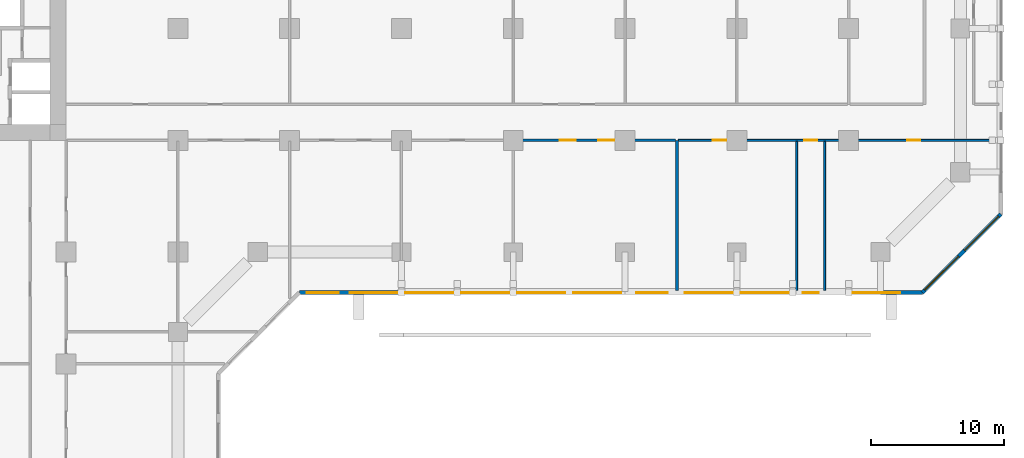
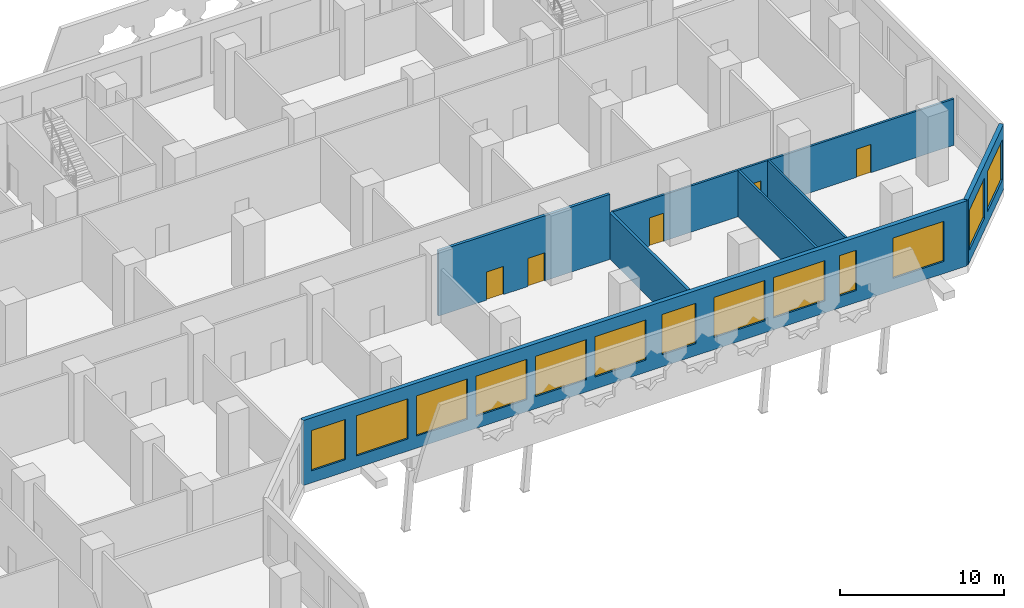
# One storey, part 7 of 21: 13 windows, 7 walls, 5 doors, 18 openings.
"""IFC4 building model written with IfcOpenShell, lengths in metres."""

from ifc_helpers import new_model, si_unit, direction, frame, frame_2d, origin, place, context, subcontext, project, spatial, rectangle, extrude, material, layer, layer_set, type_object, element, fill, save


model = new_model("IFC4")

# Units and contexts
model_context = context("Model", 3, precision=1e-05, world=origin(), true_north=direction((0.0, 1.0)))
body_context = subcontext(model_context, "Body", "Model", "MODEL_VIEW")
ifc_project = project(units=[si_unit("LENGTHUNIT", "METRE"), si_unit("AREAUNIT", "SQUARE_METRE"), si_unit("VOLUMEUNIT", "CUBIC_METRE"), si_unit("PLANEANGLEUNIT", "RADIAN"), si_unit("MASSUNIT", "GRAM", prefix="KILO")], contexts=[model_context])

# Site, building, storey
site_placement = place(None, origin())
site = spatial("IfcSite", under=ifc_project, at=site_placement, CompositionType="ELEMENT")
building_placement = place(site_placement, origin())
building = spatial("IfcBuilding", under=site, at=building_placement, Name="Kawkab Arch Medical Tower", CompositionType="ELEMENT")
storey_placement = place(building_placement, frame((0.0, 0.0, 23.800048828125)))
storey = spatial("IfcBuildingStorey", under=building, at=storey_placement, Name="L05", CompositionType="ELEMENT", Elevation=23.800048828125)

# Wall, openings, doors
ifc_material_1 = material(Name="Gypsum board partition on steel studs, mineral wool", Category="steel")
ifc_layer_1 = layer(ifc_material_1, 0.14990234375)
ifc_layer_set_1 = layer_set([ifc_layer_1], Name="Gypsum board partition on steel studs, mineral wool")
wall_type_1 = type_object("IfcWallType", Name="Partition 150", PredefinedType="PARTITIONING", material=ifc_layer_set_1)
wall_1_placement = place(storey_placement, frame((71.199951171875, -25.199951171875, 0.0), z_axis=(0.0, 0.0, 1.0), x_axis=(1.0, 0.0, 0.0)))
wall_1 = element("IfcWall", 1, at=wall_1_placement, inside=storey, type_object=wall_type_1, Name="Partition 150 w022", PredefinedType="PARTITIONING", context=body_context, shape_type="SweptSolid", body=[
    extrude(rectangle(XDim=24.080078125, YDim=0.14990234375, at=frame_2d((12.0400390625, 0.0))), origin(), (0.0, 0.0, 1.0), 3.449951171875),
])
opening_1_placement = place(wall_1_placement, frame((2.60009765625, 0.0, 0.0)))
opening_1 = element("IfcOpeningElement", 2, at=opening_1_placement, cuts=wall_1, Name="Opening P05-030", PredefinedType="OPENING", context=body_context, shape_type="SweptSolid", body=[
    extrude(rectangle(XDim=1.0, YDim=2.10009765625, at=frame_2d((0.5, 1.050048828125))), frame((0.0, 0.0849609375, 0.0), z_axis=(0.0, -1.0, 0.0), x_axis=(1.0, 0.0, 0.0)), (0.0, 0.0, 1.0), 0.169921875),
])
opening_2_placement = place(wall_1_placement, frame((17.199951171875, 0.0, 0.0)))
opening_2 = element("IfcOpeningElement", 3, at=opening_2_placement, cuts=wall_1, Name="Opening P05-031", PredefinedType="OPENING", context=body_context, shape_type="SweptSolid", body=[
    extrude(rectangle(XDim=1.0, YDim=2.10009765625, at=frame_2d((0.5, 1.050048828125))), frame((0.0, 0.0849609375, 0.0), z_axis=(0.0, -1.0, 0.0), x_axis=(1.0, 0.0, 0.0)), (0.0, 0.0, 1.0), 0.169921875),
])
opening_3_placement = place(wall_1_placement, frame((9.449951171875, 0.0, 0.0)))
opening_3 = element("IfcOpeningElement", 4, at=opening_3_placement, cuts=wall_1, Name="Opening P05-003", PredefinedType="OPENING", context=body_context, shape_type="SweptSolid", body=[
    extrude(rectangle(XDim=1.0, YDim=2.10009765625, at=frame_2d((0.5, 1.050048828125))), frame((0.0, 0.0849609375, 0.0), z_axis=(0.0, -1.0, 0.0), x_axis=(1.0, 0.0, 0.0)), (0.0, 0.0, 1.0), 0.169921875),
])
ifc_material_2 = material(Name="Timber door leaf", Category="wood")
door_type_1 = type_object("IfcDoorType", Name="Single door 1000x2100", OperationType="NOTDEFINED", PredefinedType="DOOR", material=ifc_material_2)
door_1_placement = place(opening_3_placement, origin())
door_1 = element("IfcDoor", 5, at=door_1_placement, inside=storey, type_object=door_type_1, Name="Door P05-003", OperationType="SINGLE_SWING_RIGHT", OverallHeight=2.10009765625, OverallWidth=1.0, PredefinedType="DOOR", context=body_context, shape_type="SweptSolid", body=[
    extrude(rectangle(XDim=1.0, YDim=2.10009765625, at=frame_2d((0.5, 1.050048828125))), frame((0.0, 0.02490234375, 0.0), z_axis=(0.0, -1.0, 0.0), x_axis=(1.0, 0.0, 0.0)), (0.0, 0.0, 1.0), 0.050048828125),
])
fill(opening_3, door_1)
ifc_material_3 = material(Name="Hollow metal door leaf")
door_type_2 = type_object("IfcDoorType", Name="Single door 1000x2100 FD30S", OperationType="NOTDEFINED", PredefinedType="DOOR", material=ifc_material_3)
door_2_placement = place(opening_1_placement, origin())
door_2 = element("IfcDoor", 6, at=door_2_placement, inside=storey, type_object=door_type_2, Name="Door P05-030", OperationType="SINGLE_SWING_RIGHT", OverallHeight=2.10009765625, OverallWidth=1.0, PredefinedType="DOOR", context=body_context, shape_type="SweptSolid", body=[
    extrude(rectangle(XDim=1.0, YDim=2.10009765625, at=frame_2d((0.5, 1.050048828125))), frame((0.0, 0.02490234375, 0.0), z_axis=(0.0, -1.0, 0.0), x_axis=(1.0, 0.0, 0.0)), (0.0, 0.0, 1.0), 0.050048828125),
])
fill(opening_1, door_2)
door_3_placement = place(opening_2_placement, origin())
door_3 = element("IfcDoor", 7, at=door_3_placement, inside=storey, type_object=door_type_2, Name="Door P05-031", OperationType="SINGLE_SWING_LEFT", OverallHeight=2.10009765625, OverallWidth=1.0, PredefinedType="DOOR", context=body_context, shape_type="SweptSolid", body=[
    extrude(rectangle(XDim=1.0, YDim=2.10009765625, at=frame_2d((0.5, 1.050048828125))), frame((0.0, 0.02490234375, 0.0), z_axis=(0.0, -1.0, 0.0), x_axis=(1.0, 0.0, 0.0)), (0.0, 0.0, 1.0), 0.050048828125),
])
fill(opening_2, door_3)

# Walls
for number, where, z_axis, x_axis, name in (
    (8, (80.10009765625, -36.47998046875, 0.0), (0.0, 0.0, 1.0), (0.0, 1.0, 0.0), "Partition 150 w066"),
    (9, (82.199951171875, -36.47998046875, 0.0), (0.0, 0.0, 1.0), (0.0, 1.0, 0.0), "Partition 150 w067"),
):
    element("IfcWall", number, at=place(storey_placement, frame(where, z_axis=z_axis, x_axis=x_axis)), inside=storey, type_object=wall_type_1, Name=name, PredefinedType="PARTITIONING", context=body_context, shape_type="SweptSolid", body=[
        extrude(rectangle(XDim=11.205078125, YDim=0.14990234375, at=frame_2d((5.6025390625, 0.0))), origin(), (0.0, 0.0, 1.0), 3.449951171875),
    ])

# Wall, openings, windows
ifc_material_4 = material(Name="Bronze clad insulated wall panel")
ifc_layer_2 = layer(ifc_material_4, 0.300048828125)
ifc_layer_set_2 = layer_set([ifc_layer_2], Name="Bronze clad insulated wall panel")
wall_type_2 = type_object("IfcWallType", Name="Podium external wall 300", PredefinedType="SOLIDWALL", material=ifc_layer_set_2)
wall_2_placement = place(storey_placement, frame((42.73779296875, -36.64990234375, 0.0), z_axis=(0.0, 0.0, 1.0), x_axis=(1.0, 0.0, 0.0)))
wall_2 = element("IfcWall", 10, at=wall_2_placement, inside=storey, type_object=wall_type_2, Name="Podium external wall L05 R08", PredefinedType="SOLIDWALL", context=body_context, shape_type="SweptSolid", body=[
    extrude(rectangle(XDim=46.800048828125, YDim=0.300048828125, at=frame_2d((23.39990234375, 0.0))), origin(), (0.0, 0.0, 1.0), 4.849853515625),
])
opening_4_placement = place(wall_2_placement, frame((0.56201171875, 0.0, 0.89990234375)))
opening_4 = element("IfcOpeningElement", 11, at=opening_4_placement, cuts=wall_2, Name="Opening PBW240-30-S9", PredefinedType="OPENING", context=body_context, shape_type="SweptSolid", body=[
    extrude(rectangle(XDim=2.39990234375, YDim=3.0, at=frame_2d((1.199951171875, 1.5))), frame((0.0, 0.159912109375, 0.0), z_axis=(0.0, -1.0, 0.0), x_axis=(1.0, 0.0, 0.0)), (0.0, 0.0, 1.0), 0.320068359375),
])
opening_5_placement = place(wall_2_placement, frame((3.76220703125, 0.0, 0.89990234375)))
opening_5 = element("IfcOpeningElement", 12, at=opening_5_placement, cuts=wall_2, Name="Opening PBW360-30-S9", PredefinedType="OPENING", context=body_context, shape_type="SweptSolid", body=[
    extrude(rectangle(XDim=3.60009765625, YDim=3.0, at=frame_2d((1.800048828125, 1.5))), frame((0.0, 0.159912109375, 0.0), z_axis=(0.0, -1.0, 0.0), x_axis=(1.0, 0.0, 0.0)), (0.0, 0.0, 1.0), 0.320068359375),
])
opening_6_placement = place(wall_2_placement, frame((7.962158203125, 0.0, 0.89990234375)))
opening_6 = element("IfcOpeningElement", 13, at=opening_6_placement, cuts=wall_2, Name="Opening PBW360-30-S9", PredefinedType="OPENING", context=body_context, shape_type="SweptSolid", body=[
    extrude(rectangle(XDim=3.60009765625, YDim=3.0, at=frame_2d((1.800048828125, 1.5))), frame((0.0, 0.159912109375, 0.0), z_axis=(0.0, -1.0, 0.0), x_axis=(1.0, 0.0, 0.0)), (0.0, 0.0, 1.0), 0.320068359375),
])
opening_7_placement = place(wall_2_placement, frame((12.162109375, 0.0, 0.89990234375)))
opening_7 = element("IfcOpeningElement", 14, at=opening_7_placement, cuts=wall_2, Name="Opening PBW360-30-S9", PredefinedType="OPENING", context=body_context, shape_type="SweptSolid", body=[
    extrude(rectangle(XDim=3.60009765625, YDim=3.0, at=frame_2d((1.800048828125, 1.5))), frame((0.0, 0.159912109375, 0.0), z_axis=(0.0, -1.0, 0.0), x_axis=(1.0, 0.0, 0.0)), (0.0, 0.0, 1.0), 0.320068359375),
])
opening_8_placement = place(wall_2_placement, frame((16.362060546875, 0.0, 0.89990234375)))
opening_8 = element("IfcOpeningElement", 15, at=opening_8_placement, cuts=wall_2, Name="Opening PBW360-30-S9", PredefinedType="OPENING", context=body_context, shape_type="SweptSolid", body=[
    extrude(rectangle(XDim=3.60009765625, YDim=3.0, at=frame_2d((1.800048828125, 1.5))), frame((0.0, 0.159912109375, 0.0), z_axis=(0.0, -1.0, 0.0), x_axis=(1.0, 0.0, 0.0)), (0.0, 0.0, 1.0), 0.320068359375),
])
opening_9_placement = place(wall_2_placement, frame((20.56201171875, 0.0, 0.89990234375)))
opening_9 = element("IfcOpeningElement", 16, at=opening_9_placement, cuts=wall_2, Name="Opening PBW360-30-S9", PredefinedType="OPENING", context=body_context, shape_type="SweptSolid", body=[
    extrude(rectangle(XDim=3.60009765625, YDim=3.0, at=frame_2d((1.800048828125, 1.5))), frame((0.0, 0.159912109375, 0.0), z_axis=(0.0, -1.0, 0.0), x_axis=(1.0, 0.0, 0.0)), (0.0, 0.0, 1.0), 0.320068359375),
])
opening_10_placement = place(wall_2_placement, frame((25.287109375, 0.0, 0.89990234375)))
opening_10 = element("IfcOpeningElement", 17, at=opening_10_placement, cuts=wall_2, Name="Opening PBW240-30-S9", PredefinedType="OPENING", context=body_context, shape_type="SweptSolid", body=[
    extrude(rectangle(XDim=2.39990234375, YDim=3.0, at=frame_2d((1.199951171875, 1.5))), frame((0.0, 0.159912109375, 0.0), z_axis=(0.0, -1.0, 0.0), x_axis=(1.0, 0.0, 0.0)), (0.0, 0.0, 1.0), 0.320068359375),
])
opening_11_placement = place(wall_2_placement, frame((28.962158203125, 0.0, 0.89990234375)))
opening_11 = element("IfcOpeningElement", 18, at=opening_11_placement, cuts=wall_2, Name="Opening PBW360-30-S9", PredefinedType="OPENING", context=body_context, shape_type="SweptSolid", body=[
    extrude(rectangle(XDim=3.60009765625, YDim=3.0, at=frame_2d((1.800048828125, 1.5))), frame((0.0, 0.159912109375, 0.0), z_axis=(0.0, -1.0, 0.0), x_axis=(1.0, 0.0, 0.0)), (0.0, 0.0, 1.0), 0.320068359375),
])
opening_12_placement = place(wall_2_placement, frame((33.162109375, 0.0, 0.89990234375)))
opening_12 = element("IfcOpeningElement", 19, at=opening_12_placement, cuts=wall_2, Name="Opening PBW360-30-S9", PredefinedType="OPENING", context=body_context, shape_type="SweptSolid", body=[
    extrude(rectangle(XDim=3.60009765625, YDim=3.0, at=frame_2d((1.800048828125, 1.5))), frame((0.0, 0.159912109375, 0.0), z_axis=(0.0, -1.0, 0.0), x_axis=(1.0, 0.0, 0.0)), (0.0, 0.0, 1.0), 0.320068359375),
])
opening_13_placement = place(wall_2_placement, frame((37.81201171875, 0.0, 0.89990234375)))
opening_13 = element("IfcOpeningElement", 20, at=opening_13_placement, cuts=wall_2, Name="Opening PBW120-30-S9", PredefinedType="OPENING", context=body_context, shape_type="SweptSolid", body=[
    extrude(rectangle(XDim=1.199951171875, YDim=3.0, at=frame_2d((0.60009765625, 1.5))), frame((0.0, 0.159912109375, 0.0), z_axis=(0.0, -1.0, 0.0), x_axis=(1.0, 0.0, 0.0)), (0.0, 0.0, 1.0), 0.320068359375),
])
opening_14_placement = place(wall_2_placement, frame((41.56201171875, 0.0, 0.89990234375)))
opening_14 = element("IfcOpeningElement", 21, at=opening_14_placement, cuts=wall_2, Name="Opening PBW360-30-S9", PredefinedType="OPENING", context=body_context, shape_type="SweptSolid", body=[
    extrude(rectangle(XDim=3.60009765625, YDim=3.0, at=frame_2d((1.800048828125, 1.5))), frame((0.0, 0.159912109375, 0.0), z_axis=(0.0, -1.0, 0.0), x_axis=(1.0, 0.0, 0.0)), (0.0, 0.0, 1.0), 0.320068359375),
])
ifc_material_5 = material(Name="Bronze anodised aluminium louvred window", Category="aluminium")
window_type_1 = type_object("IfcWindowType", Name="Podium band window 1200 x 3000 sill 900", PartitioningType="DOUBLE_PANEL_VERTICAL", PredefinedType="WINDOW", material=ifc_material_5)
window_1_placement = place(opening_13_placement, origin())
window_1 = element("IfcWindow", 22, at=window_1_placement, inside=storey, type_object=window_type_1, Name="Band window L05 R08.10", OverallHeight=3.0, OverallWidth=1.199951171875, PartitioningType="SINGLE_PANEL", PredefinedType="WINDOW", context=body_context, shape_type="SweptSolid", body=[
    extrude(rectangle(XDim=1.199951171875, YDim=3.0, at=frame_2d((0.60009765625, 1.5))), frame((0.0, 0.030029296875, 0.0), z_axis=(0.0, -1.0, 0.0), x_axis=(1.0, 0.0, 0.0)), (0.0, 0.0, 1.0), 0.06005859375),
])
fill(opening_13, window_1)
ifc_material_6 = material(Name="Bronze anodised aluminium louvred window", Category="aluminium")
window_type_2 = type_object("IfcWindowType", Name="Podium band window 2400 x 3000 sill 900", PartitioningType="DOUBLE_PANEL_VERTICAL", PredefinedType="WINDOW", material=ifc_material_6)
window_2_placement = place(opening_4_placement, origin())
window_2 = element("IfcWindow", 23, at=window_2_placement, inside=storey, type_object=window_type_2, Name="Band window L05 R08.1", OverallHeight=3.0, OverallWidth=2.39990234375, PartitioningType="SINGLE_PANEL", PredefinedType="WINDOW", context=body_context, shape_type="SweptSolid", body=[
    extrude(rectangle(XDim=2.39990234375, YDim=3.0, at=frame_2d((1.199951171875, 1.5))), frame((0.0, 0.030029296875, 0.0), z_axis=(0.0, -1.0, 0.0), x_axis=(1.0, 0.0, 0.0)), (0.0, 0.0, 1.0), 0.06005859375),
])
fill(opening_4, window_2)
window_3_placement = place(opening_10_placement, origin())
window_3 = element("IfcWindow", 24, at=window_3_placement, inside=storey, type_object=window_type_2, Name="Band window L05 R08.7", OverallHeight=3.0, OverallWidth=2.39990234375, PartitioningType="SINGLE_PANEL", PredefinedType="WINDOW", context=body_context, shape_type="SweptSolid", body=[
    extrude(rectangle(XDim=2.39990234375, YDim=3.0, at=frame_2d((1.199951171875, 1.5))), frame((0.0, 0.030029296875, 0.0), z_axis=(0.0, -1.0, 0.0), x_axis=(1.0, 0.0, 0.0)), (0.0, 0.0, 1.0), 0.06005859375),
])
fill(opening_10, window_3)
ifc_material_7 = material(Name="Bronze anodised aluminium louvred window", Category="aluminium")
window_type_3 = type_object("IfcWindowType", Name="Podium band window 3600 x 3000 sill 900", PartitioningType="DOUBLE_PANEL_VERTICAL", PredefinedType="WINDOW", material=ifc_material_7)
window_4_placement = place(opening_5_placement, origin())
window_4 = element("IfcWindow", 25, at=window_4_placement, inside=storey, type_object=window_type_3, Name="Band window L05 R08.2", OverallHeight=3.0, OverallWidth=3.60009765625, PartitioningType="SINGLE_PANEL", PredefinedType="WINDOW", context=body_context, shape_type="SweptSolid", body=[
    extrude(rectangle(XDim=3.60009765625, YDim=3.0, at=frame_2d((1.800048828125, 1.5))), frame((0.0, 0.030029296875, 0.0), z_axis=(0.0, -1.0, 0.0), x_axis=(1.0, 0.0, 0.0)), (0.0, 0.0, 1.0), 0.06005859375),
])
fill(opening_5, window_4)
window_5_placement = place(opening_6_placement, origin())
window_5 = element("IfcWindow", 26, at=window_5_placement, inside=storey, type_object=window_type_3, Name="Band window L05 R08.3", OverallHeight=3.0, OverallWidth=3.60009765625, PartitioningType="SINGLE_PANEL", PredefinedType="WINDOW", context=body_context, shape_type="SweptSolid", body=[
    extrude(rectangle(XDim=3.60009765625, YDim=3.0, at=frame_2d((1.800048828125, 1.5))), frame((0.0, 0.030029296875, 0.0), z_axis=(0.0, -1.0, 0.0), x_axis=(1.0, 0.0, 0.0)), (0.0, 0.0, 1.0), 0.06005859375),
])
fill(opening_6, window_5)
window_6_placement = place(opening_7_placement, origin())
window_6 = element("IfcWindow", 27, at=window_6_placement, inside=storey, type_object=window_type_3, Name="Band window L05 R08.4", OverallHeight=3.0, OverallWidth=3.60009765625, PartitioningType="SINGLE_PANEL", PredefinedType="WINDOW", context=body_context, shape_type="SweptSolid", body=[
    extrude(rectangle(XDim=3.60009765625, YDim=3.0, at=frame_2d((1.800048828125, 1.5))), frame((0.0, 0.030029296875, 0.0), z_axis=(0.0, -1.0, 0.0), x_axis=(1.0, 0.0, 0.0)), (0.0, 0.0, 1.0), 0.06005859375),
])
fill(opening_7, window_6)
window_7_placement = place(opening_8_placement, origin())
window_7 = element("IfcWindow", 28, at=window_7_placement, inside=storey, type_object=window_type_3, Name="Band window L05 R08.5", OverallHeight=3.0, OverallWidth=3.60009765625, PartitioningType="SINGLE_PANEL", PredefinedType="WINDOW", context=body_context, shape_type="SweptSolid", body=[
    extrude(rectangle(XDim=3.60009765625, YDim=3.0, at=frame_2d((1.800048828125, 1.5))), frame((0.0, 0.030029296875, 0.0), z_axis=(0.0, -1.0, 0.0), x_axis=(1.0, 0.0, 0.0)), (0.0, 0.0, 1.0), 0.06005859375),
])
fill(opening_8, window_7)
window_8_placement = place(opening_9_placement, origin())
window_8 = element("IfcWindow", 29, at=window_8_placement, inside=storey, type_object=window_type_3, Name="Band window L05 R08.6", OverallHeight=3.0, OverallWidth=3.60009765625, PartitioningType="SINGLE_PANEL", PredefinedType="WINDOW", context=body_context, shape_type="SweptSolid", body=[
    extrude(rectangle(XDim=3.60009765625, YDim=3.0, at=frame_2d((1.800048828125, 1.5))), frame((0.0, 0.030029296875, 0.0), z_axis=(0.0, -1.0, 0.0), x_axis=(1.0, 0.0, 0.0)), (0.0, 0.0, 1.0), 0.06005859375),
])
fill(opening_9, window_8)
window_9_placement = place(opening_11_placement, origin())
window_9 = element("IfcWindow", 30, at=window_9_placement, inside=storey, type_object=window_type_3, Name="Band window L05 R08.8", OverallHeight=3.0, OverallWidth=3.60009765625, PartitioningType="SINGLE_PANEL", PredefinedType="WINDOW", context=body_context, shape_type="SweptSolid", body=[
    extrude(rectangle(XDim=3.60009765625, YDim=3.0, at=frame_2d((1.800048828125, 1.5))), frame((0.0, 0.030029296875, 0.0), z_axis=(0.0, -1.0, 0.0), x_axis=(1.0, 0.0, 0.0)), (0.0, 0.0, 1.0), 0.06005859375),
])
fill(opening_11, window_9)
window_10_placement = place(opening_12_placement, origin())
window_10 = element("IfcWindow", 31, at=window_10_placement, inside=storey, type_object=window_type_3, Name="Band window L05 R08.9", OverallHeight=3.0, OverallWidth=3.60009765625, PartitioningType="SINGLE_PANEL", PredefinedType="WINDOW", context=body_context, shape_type="SweptSolid", body=[
    extrude(rectangle(XDim=3.60009765625, YDim=3.0, at=frame_2d((1.800048828125, 1.5))), frame((0.0, 0.030029296875, 0.0), z_axis=(0.0, -1.0, 0.0), x_axis=(1.0, 0.0, 0.0)), (0.0, 0.0, 1.0), 0.06005859375),
])
fill(opening_12, window_10)
window_11_placement = place(opening_14_placement, origin())
window_11 = element("IfcWindow", 32, at=window_11_placement, inside=storey, type_object=window_type_3, Name="Band window L05 R08.11", OverallHeight=3.0, OverallWidth=3.60009765625, PartitioningType="SINGLE_PANEL", PredefinedType="WINDOW", context=body_context, shape_type="SweptSolid", body=[
    extrude(rectangle(XDim=3.60009765625, YDim=3.0, at=frame_2d((1.800048828125, 1.5))), frame((0.0, 0.030029296875, 0.0), z_axis=(0.0, -1.0, 0.0), x_axis=(1.0, 0.0, 0.0)), (0.0, 0.0, 1.0), 0.06005859375),
])
fill(opening_14, window_11)

wall_3_placement = place(storey_placement, frame((89.537841796875, -36.64990234375, 0.0), z_axis=(0.0, 0.0, 1.0), x_axis=(0.707106781187, 0.707106781187, 0.0)))
wall_3 = element("IfcWall", 33, at=wall_3_placement, inside=storey, type_object=wall_type_2, Name="Podium external wall L05 R09", PredefinedType="SOLIDWALL", context=body_context, shape_type="SweptSolid", body=[
    extrude(rectangle(XDim=8.361083984375, YDim=0.300048828125, at=frame_2d((4.1806640625, 0.0))), origin(), (0.0, 0.0, 1.0), 4.849853515625),
])
opening_15_placement = place(wall_3_placement, frame((0.259033203125, 0.0, 0.89990234375)))
opening_15 = element("IfcOpeningElement", 34, at=opening_15_placement, cuts=wall_3, Name="Opening PBW360-30-S9", PredefinedType="OPENING", context=body_context, shape_type="SweptSolid", body=[
    extrude(rectangle(XDim=3.60009765625, YDim=3.0, at=frame_2d((1.800048828125, 1.5))), frame((0.0, 0.159912109375, 0.0), z_axis=(0.0, -1.0, 0.0), x_axis=(1.0, 0.0, 0.0)), (0.0, 0.0, 1.0), 0.320068359375),
])
opening_16_placement = place(wall_3_placement, frame((4.501708984375, 0.0, 0.89990234375)))
opening_16 = element("IfcOpeningElement", 35, at=opening_16_placement, cuts=wall_3, Name="Opening PBW360-30-S9", PredefinedType="OPENING", context=body_context, shape_type="SweptSolid", body=[
    extrude(rectangle(XDim=3.60009765625, YDim=3.0, at=frame_2d((1.800048828125, 1.5))), frame((0.0, 0.159912109375, 0.0), z_axis=(0.0, -1.0, 0.0), x_axis=(1.0, 0.0, 0.0)), (0.0, 0.0, 1.0), 0.320068359375),
])
window_12_placement = place(opening_15_placement, origin())
window_12 = element("IfcWindow", 36, at=window_12_placement, inside=storey, type_object=window_type_3, Name="Band window L05 R09.1", OverallHeight=3.0, OverallWidth=3.60009765625, PartitioningType="SINGLE_PANEL", PredefinedType="WINDOW", context=body_context, shape_type="SweptSolid", body=[
    extrude(rectangle(XDim=3.60009765625, YDim=3.0, at=frame_2d((1.800048828125, 1.5))), frame((0.0, 0.030029296875, 0.0), z_axis=(0.0, -1.0, 0.0), x_axis=(1.0, 0.0, 0.0)), (0.0, 0.0, 1.0), 0.06005859375),
])
fill(opening_15, window_12)
window_13_placement = place(opening_16_placement, origin())
window_13 = element("IfcWindow", 37, at=window_13_placement, inside=storey, type_object=window_type_3, Name="Band window L05 R09.2", OverallHeight=3.0, OverallWidth=3.60009765625, PartitioningType="SINGLE_PANEL", PredefinedType="WINDOW", context=body_context, shape_type="SweptSolid", body=[
    extrude(rectangle(XDim=3.60009765625, YDim=3.0, at=frame_2d((1.800048828125, 1.5))), frame((0.0, 0.030029296875, 0.0), z_axis=(0.0, -1.0, 0.0), x_axis=(1.0, 0.0, 0.0)), (0.0, 0.0, 1.0), 0.06005859375),
])
fill(opening_16, window_13)

# Wall, openings, doors
ifc_material_8 = material(Name="Fire-rated gypsum board partition on steel studs", Category="steel")
ifc_layer_3 = layer(ifc_material_8, 0.199951171875)
ifc_layer_set_3 = layer_set([ifc_layer_3], Name="Fire-rated gypsum board partition on steel studs")
wall_type_3 = type_object("IfcWallType", Name="Protected partition 200", PredefinedType="PARTITIONING", material=ifc_layer_set_3)
wall_4_placement = place(storey_placement, frame((58.89990234375, -25.199951171875, 0.0), z_axis=(0.0, 0.0, 1.0), x_axis=(1.0, 0.0, 0.0)))
wall_4 = element("IfcWall", 38, at=wall_4_placement, inside=storey, type_object=wall_type_3, Name="Protected partition 200 w073", PredefinedType="PARTITIONING", context=body_context, shape_type="SweptSolid", body=[
    extrude(rectangle(XDim=12.10009765625, YDim=0.199951171875, at=frame_2d((6.050048828125, 0.0))), origin(), (0.0, 0.0, 1.0), 4.849853515625),
])
opening_17_placement = place(wall_4_placement, frame((6.300048828125, 0.0, 0.0)))
opening_17 = element("IfcOpeningElement", 39, at=opening_17_placement, cuts=wall_4, Name="Opening P05-064", PredefinedType="OPENING", context=body_context, shape_type="SweptSolid", body=[
    extrude(rectangle(XDim=1.199951171875, YDim=2.10009765625, at=frame_2d((0.60009765625, 1.050048828125))), frame((0.0, 0.10986328125, 0.0), z_axis=(0.0, -1.0, 0.0), x_axis=(1.0, 0.0, 0.0)), (0.0, 0.0, 1.0), 0.219970703125),
])
opening_18_placement = place(wall_4_placement, frame((3.39990234375, 0.0, 0.0)))
opening_18 = element("IfcOpeningElement", 40, at=opening_18_placement, cuts=wall_4, Name="Opening P05-065", PredefinedType="OPENING", context=body_context, shape_type="SweptSolid", body=[
    extrude(rectangle(XDim=1.199951171875, YDim=2.10009765625, at=frame_2d((0.60009765625, 1.050048828125))), frame((0.0, 0.10986328125, 0.0), z_axis=(0.0, -1.0, 0.0), x_axis=(1.0, 0.0, 0.0)), (0.0, 0.0, 1.0), 0.219970703125),
])
ifc_material_9 = material(Name="Hollow metal door leaf")
door_type_3 = type_object("IfcDoorType", Name="Single door 1200x2100 FD60", OperationType="NOTDEFINED", PredefinedType="DOOR", material=ifc_material_9)
door_4_placement = place(opening_17_placement, origin())
door_4 = element("IfcDoor", 41, at=door_4_placement, inside=storey, type_object=door_type_3, Name="Door P05-064", OperationType="SINGLE_SWING_LEFT", OverallHeight=2.10009765625, OverallWidth=1.199951171875, PredefinedType="DOOR", context=body_context, shape_type="SweptSolid", body=[
    extrude(rectangle(XDim=1.199951171875, YDim=2.10009765625, at=frame_2d((0.60009765625, 1.050048828125))), frame((0.0, 0.02490234375, 0.0), z_axis=(0.0, -1.0, 0.0), x_axis=(1.0, 0.0, 0.0)), (0.0, 0.0, 1.0), 0.050048828125),
])
fill(opening_17, door_4)
door_5_placement = place(opening_18_placement, origin())
door_5 = element("IfcDoor", 42, at=door_5_placement, inside=storey, type_object=door_type_3, Name="Door P05-065", OperationType="SINGLE_SWING_RIGHT", OverallHeight=2.10009765625, OverallWidth=1.199951171875, PredefinedType="DOOR", context=body_context, shape_type="SweptSolid", body=[
    extrude(rectangle(XDim=1.199951171875, YDim=2.10009765625, at=frame_2d((0.60009765625, 1.050048828125))), frame((0.0, 0.02490234375, 0.0), z_axis=(0.0, -1.0, 0.0), x_axis=(1.0, 0.0, 0.0)), (0.0, 0.0, 1.0), 0.050048828125),
])
fill(opening_18, door_5)

# Wall
wall_5_placement = place(storey_placement, frame((71.10009765625, -36.47998046875, 0.0), z_axis=(0.0, 0.0, 1.0), x_axis=(0.0, 1.0, 0.0)))
element("IfcWall", 43, at=wall_5_placement, inside=storey, type_object=wall_type_3, Name="Protected partition 200 w080", PredefinedType="PARTITIONING", context=body_context, shape_type="SweptSolid", body=[
    extrude(rectangle(XDim=11.280029296875, YDim=0.199951171875, at=frame_2d((5.64013671875, 0.0))), origin(), (0.0, 0.0, 1.0), 3.449951171875),
])

save(model, "model.ifc")
